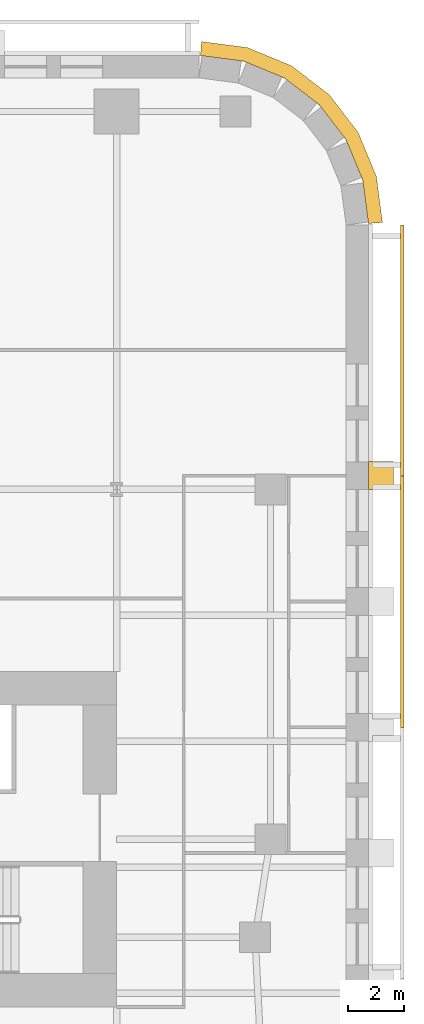
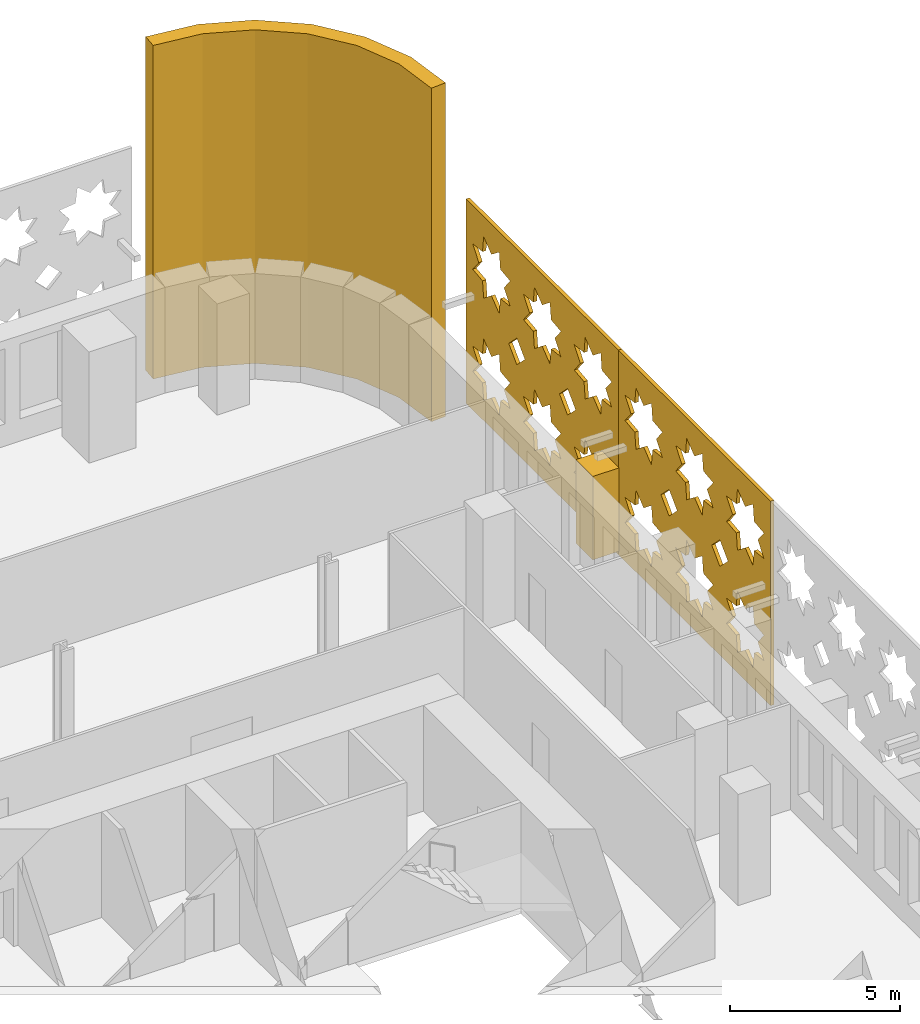
# One storey, part 15 of 15: 4 coverings.
"""IFC4 building model written with IfcOpenShell, lengths in metres."""

from ifc_helpers import new_model, si_unit, direction, frame, origin, place, context, subcontext, project, spatial, polyline, outline, extrude, material, layer, layer_set, type_object, element, save


model = new_model("IFC4")

# Units and contexts
model_context = context("Model", 3, precision=1e-05, world=origin(), true_north=direction((0.0, 1.0)))
body_context = subcontext(model_context, "Body", "Model", "MODEL_VIEW")
ifc_project = project(units=[si_unit("LENGTHUNIT", "METRE"), si_unit("AREAUNIT", "SQUARE_METRE"), si_unit("VOLUMEUNIT", "CUBIC_METRE"), si_unit("PLANEANGLEUNIT", "RADIAN"), si_unit("MASSUNIT", "GRAM", prefix="KILO")], contexts=[model_context])

# Site, building, storey
site_placement = place(None, origin())
site = spatial("IfcSite", under=ifc_project, at=site_placement, CompositionType="ELEMENT")
building_placement = place(site_placement, origin())
building = spatial("IfcBuilding", under=site, at=building_placement, Name="Zellij Exchange Tower", CompositionType="ELEMENT")
storey_placement = place(building_placement, frame((0.0, 0.0, 76.5)))
storey = spatial("IfcBuildingStorey", under=building, at=storey_placement, Name="L15", CompositionType="ELEMENT", Elevation=76.5)

# Coverings
ifc_material_1 = material(Name="Limestone cladding", Category="masonry")
ifc_layer_1 = layer(ifc_material_1, 0.5)
ifc_layer_set_1 = layer_set([ifc_layer_1], Name="Limestone cladding")
covering_type_1 = type_object("IfcCoveringType", Name="ENV-CV12 Stone corner pier 500", PredefinedType="CLADDING", material=ifc_layer_set_1)
covering_1_placement = place(storey_placement, origin())
element("IfcCovering", 1, at=covering_1_placement, inside=storey, type_object=covering_type_1, Name="Stone corner pier", PredefinedType="CLADDING", context=body_context, shape_type="SweptSolid", body=[
    extrude(outline(polyline([(36.0, 14.0), (35.795654296875, 15.552978515625), (35.1962890625, 17.0), (34.24267578125, 18.24267578125), (33.0, 19.1962890625), (31.552978515625, 19.795654296875), (30.0, 20.0), (30.03271484375, 20.5), (31.683349609375, 20.28271484375), (33.252197265625, 19.6328125), (34.59912109375, 18.59912109375), (35.6328125, 17.252197265625), (36.28271484375, 15.683349609375), (36.5, 14.03271484375), (36.0, 14.0)])), origin(), (0.0, 0.0, 1.0), 12.0),
])
covering_type_2 = type_object("IfcCoveringType", Name="ENV-CV2 Stone pier 1000x900", PredefinedType="CLADDING", material=ifc_material_1)
covering_2_placement = place(storey_placement, frame((0.0, 0.0, 0.800048828125)))
element("IfcCovering", 2, at=covering_2_placement, inside=storey, type_object=covering_type_2, Name="Stone pier", PredefinedType="CLADDING", context=body_context, shape_type="SweptSolid", body=[
    extrude(outline(polyline([(36.0, 4.48681640625), (36.0, 5.48681640625), (36.89990234375, 5.48681640625), (36.89990234375, 4.48681640625), (36.0, 4.48681640625)])), origin(), (0.0, 0.0, 1.0), 3.0),
])
ifc_material_2 = material(Name="Limestone screen", Category="masonry")
ifc_layer_2 = layer(ifc_material_2, 0.1201171875)
ifc_layer_set_2 = layer_set([ifc_layer_2], Name="Limestone screen")
covering_type_3 = type_object("IfcCoveringType", Name="ENV-SC1 Pierced stone screen 120", PredefinedType="USERDEFINED", material=ifc_layer_set_2)
covering_3_placement = place(storey_placement, frame((37.2099609375, -4.0, 0.300048828125), z_axis=(0.0, 0.0, 1.0), x_axis=(0.0, 1.0, 0.0)))
element("IfcCovering", 3, at=covering_3_placement, inside=storey, type_object=covering_type_3, Name="Pierced stone screen", ObjectType="SCREEN", PredefinedType="USERDEFINED", context=body_context, shape_type="SweptSolid", body=[
    extrude(outline(polyline([(0.0, 0.0), (8.973876953125, 0.0), (8.973876953125, 7.35009765625), (0.0, 7.35009765625), (0.0, 0.0)]), holes=[polyline([(2.60107421875, 2.29541015625), (2.020263671875, 2.362060546875), (1.95361328125, 2.94287109375), (1.49560546875, 2.579345703125), (1.03759765625, 2.94287109375), (0.97119140625, 2.362060546875), (0.39013671875, 2.29541015625), (0.75390625, 1.83740234375), (0.39013671875, 1.379638671875), (0.97119140625, 1.31298828125), (1.03759765625, 0.732177734375), (1.49560546875, 1.095703125), (1.95361328125, 0.732177734375), (2.020263671875, 1.31298828125), (2.60107421875, 1.379638671875), (2.237548828125, 1.83740234375), (2.60107421875, 2.29541015625)]), polyline([(2.60107421875, 5.970458984375), (2.020263671875, 6.037109375), (1.95361328125, 6.617919921875), (1.49560546875, 6.25439453125), (1.03759765625, 6.617919921875), (0.97119140625, 6.037109375), (0.39013671875, 5.970458984375), (0.75390625, 5.512451171875), (0.39013671875, 5.0546875), (0.97119140625, 4.98779296875), (1.03759765625, 4.406982421875), (1.49560546875, 4.770751953125), (1.95361328125, 4.406982421875), (2.020263671875, 4.98779296875), (2.60107421875, 5.0546875), (2.237548828125, 5.512451171875), (2.60107421875, 5.970458984375)]), polyline([(5.59228515625, 2.29541015625), (5.011474609375, 2.362060546875), (4.94482421875, 2.94287109375), (4.48681640625, 2.579345703125), (4.029052734375, 2.94287109375), (3.96240234375, 2.362060546875), (3.381591796875, 2.29541015625), (3.7451171875, 1.83740234375), (3.381591796875, 1.379638671875), (3.96240234375, 1.31298828125), (4.029052734375, 0.732177734375), (4.48681640625, 1.095703125), (4.94482421875, 0.732177734375), (5.011474609375, 1.31298828125), (5.59228515625, 1.379638671875), (5.228759765625, 1.83740234375), (5.59228515625, 2.29541015625)]), polyline([(5.59228515625, 5.970458984375), (5.011474609375, 6.037109375), (4.94482421875, 6.617919921875), (4.48681640625, 6.25439453125), (4.029052734375, 6.617919921875), (3.96240234375, 6.037109375), (3.381591796875, 5.970458984375), (3.7451171875, 5.512451171875), (3.381591796875, 5.0546875), (3.96240234375, 4.98779296875), (4.029052734375, 4.406982421875), (4.48681640625, 4.770751953125), (4.94482421875, 4.406982421875), (5.011474609375, 4.98779296875), (5.59228515625, 5.0546875), (5.228759765625, 5.512451171875), (5.59228515625, 5.970458984375)]), polyline([(8.58349609375, 2.29541015625), (8.002685546875, 2.362060546875), (7.93603515625, 2.94287109375), (7.478271484375, 2.579345703125), (7.020263671875, 2.94287109375), (6.95361328125, 2.362060546875), (6.372802734375, 2.29541015625), (6.736328125, 1.83740234375), (6.372802734375, 1.379638671875), (6.95361328125, 1.31298828125), (7.020263671875, 0.732177734375), (7.478271484375, 1.095703125), (7.93603515625, 0.732177734375), (8.002685546875, 1.31298828125), (8.58349609375, 1.379638671875), (8.219970703125, 1.83740234375), (8.58349609375, 2.29541015625)]), polyline([(8.58349609375, 5.970458984375), (8.002685546875, 6.037109375), (7.93603515625, 6.617919921875), (7.478271484375, 6.25439453125), (7.020263671875, 6.617919921875), (6.95361328125, 6.037109375), (6.372802734375, 5.970458984375), (6.736328125, 5.512451171875), (6.372802734375, 5.0546875), (6.95361328125, 4.98779296875), (7.020263671875, 4.406982421875), (7.478271484375, 4.770751953125), (7.93603515625, 4.406982421875), (8.002685546875, 4.98779296875), (8.58349609375, 5.0546875), (8.219970703125, 5.512451171875), (8.58349609375, 5.970458984375)]), polyline([(3.469970703125, 3.675048828125), (2.9912109375, 4.153564453125), (2.5126953125, 3.675048828125), (2.9912109375, 3.1962890625), (3.469970703125, 3.675048828125)]), polyline([(6.461181640625, 3.675048828125), (5.982421875, 4.153564453125), (5.50390625, 3.675048828125), (5.982421875, 3.1962890625), (6.461181640625, 3.675048828125)])]), frame((0.0, 0.06005859375, 0.0), z_axis=(0.0, -1.0, 0.0), x_axis=(1.0, 0.0, 0.0)), (0.0, 0.0, 1.0), 0.1201171875),
])
covering_4_placement = place(storey_placement, frame((37.2099609375, 4.973876953125, 0.300048828125), z_axis=(0.0, 0.0, 1.0), x_axis=(0.0, 1.0, 0.0)))
element("IfcCovering", 4, at=covering_4_placement, inside=storey, type_object=covering_type_3, Name="Pierced stone screen", ObjectType="SCREEN", PredefinedType="USERDEFINED", context=body_context, shape_type="SweptSolid", body=[
    extrude(outline(polyline([(0.0, 0.0), (8.973876953125, 0.0), (8.973876953125, 7.35009765625), (0.0, 7.35009765625), (0.0, 0.0)]), holes=[polyline([(2.60107421875, 2.29541015625), (2.020263671875, 2.362060546875), (1.95361328125, 2.94287109375), (1.49560546875, 2.579345703125), (1.03759765625, 2.94287109375), (0.97119140625, 2.362060546875), (0.39013671875, 2.29541015625), (0.75390625, 1.83740234375), (0.39013671875, 1.379638671875), (0.97119140625, 1.31298828125), (1.03759765625, 0.732177734375), (1.49560546875, 1.095703125), (1.95361328125, 0.732177734375), (2.020263671875, 1.31298828125), (2.60107421875, 1.379638671875), (2.237548828125, 1.83740234375), (2.60107421875, 2.29541015625)]), polyline([(2.60107421875, 5.970458984375), (2.020263671875, 6.037109375), (1.95361328125, 6.617919921875), (1.49560546875, 6.25439453125), (1.03759765625, 6.617919921875), (0.97119140625, 6.037109375), (0.39013671875, 5.970458984375), (0.75390625, 5.512451171875), (0.39013671875, 5.0546875), (0.97119140625, 4.98779296875), (1.03759765625, 4.406982421875), (1.49560546875, 4.770751953125), (1.95361328125, 4.406982421875), (2.020263671875, 4.98779296875), (2.60107421875, 5.0546875), (2.237548828125, 5.512451171875), (2.60107421875, 5.970458984375)]), polyline([(5.59228515625, 2.29541015625), (5.011474609375, 2.362060546875), (4.94482421875, 2.94287109375), (4.48681640625, 2.579345703125), (4.029052734375, 2.94287109375), (3.96240234375, 2.362060546875), (3.381591796875, 2.29541015625), (3.7451171875, 1.83740234375), (3.381591796875, 1.379638671875), (3.96240234375, 1.31298828125), (4.029052734375, 0.732177734375), (4.48681640625, 1.095703125), (4.94482421875, 0.732177734375), (5.011474609375, 1.31298828125), (5.59228515625, 1.379638671875), (5.228759765625, 1.83740234375), (5.59228515625, 2.29541015625)]), polyline([(5.59228515625, 5.970458984375), (5.011474609375, 6.037109375), (4.94482421875, 6.617919921875), (4.48681640625, 6.25439453125), (4.029052734375, 6.617919921875), (3.96240234375, 6.037109375), (3.381591796875, 5.970458984375), (3.7451171875, 5.512451171875), (3.381591796875, 5.0546875), (3.96240234375, 4.98779296875), (4.029052734375, 4.406982421875), (4.48681640625, 4.770751953125), (4.94482421875, 4.406982421875), (5.011474609375, 4.98779296875), (5.59228515625, 5.0546875), (5.228759765625, 5.512451171875), (5.59228515625, 5.970458984375)]), polyline([(8.58349609375, 2.29541015625), (8.002685546875, 2.362060546875), (7.93603515625, 2.94287109375), (7.478271484375, 2.579345703125), (7.020263671875, 2.94287109375), (6.95361328125, 2.362060546875), (6.372802734375, 2.29541015625), (6.736328125, 1.83740234375), (6.372802734375, 1.379638671875), (6.95361328125, 1.31298828125), (7.020263671875, 0.732177734375), (7.478271484375, 1.095703125), (7.93603515625, 0.732177734375), (8.002685546875, 1.31298828125), (8.58349609375, 1.379638671875), (8.219970703125, 1.83740234375), (8.58349609375, 2.29541015625)]), polyline([(8.58349609375, 5.970458984375), (8.002685546875, 6.037109375), (7.93603515625, 6.617919921875), (7.478271484375, 6.25439453125), (7.020263671875, 6.617919921875), (6.95361328125, 6.037109375), (6.372802734375, 5.970458984375), (6.736328125, 5.512451171875), (6.372802734375, 5.0546875), (6.95361328125, 4.98779296875), (7.020263671875, 4.406982421875), (7.478271484375, 4.770751953125), (7.93603515625, 4.406982421875), (8.002685546875, 4.98779296875), (8.58349609375, 5.0546875), (8.219970703125, 5.512451171875), (8.58349609375, 5.970458984375)]), polyline([(3.469970703125, 3.675048828125), (2.9912109375, 4.153564453125), (2.5126953125, 3.675048828125), (2.9912109375, 3.1962890625), (3.469970703125, 3.675048828125)]), polyline([(6.461181640625, 3.675048828125), (5.982421875, 4.153564453125), (5.50390625, 3.675048828125), (5.982421875, 3.1962890625), (6.461181640625, 3.675048828125)])]), frame((0.0, 0.06005859375, 0.0), z_axis=(0.0, -1.0, 0.0), x_axis=(1.0, 0.0, 0.0)), (0.0, 0.0, 1.0), 0.1201171875),
])

save(model, "model.ifc")
